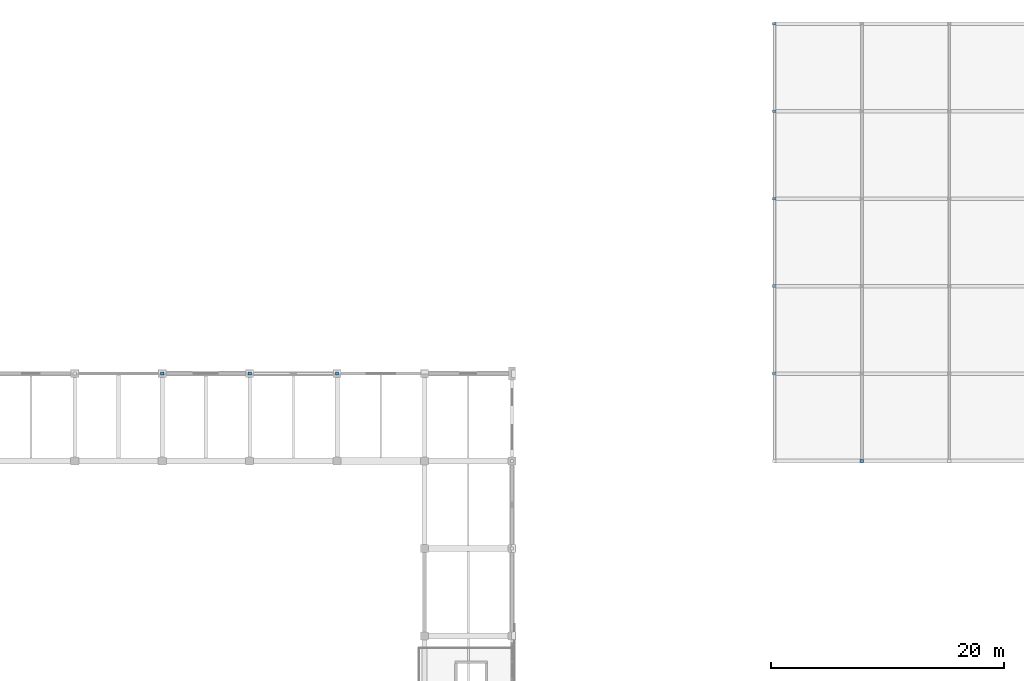
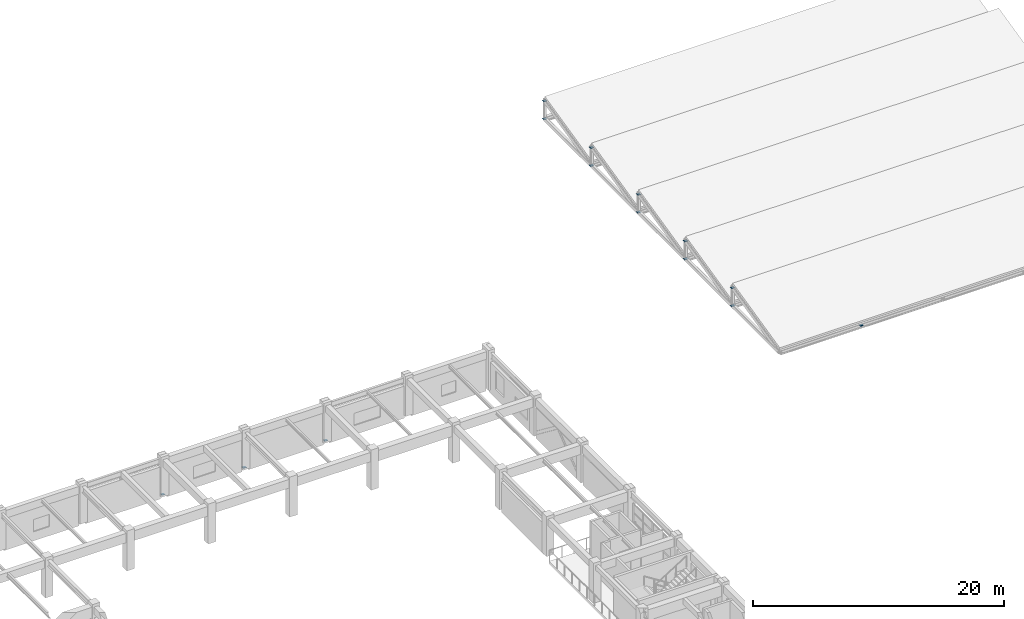
# One storey, part 71 of 82: 14 discrete accessories.
"""IFC4 building model written with IfcOpenShell, lengths in metres."""

from ifc_helpers import new_model, si_unit, direction, frame, origin, origin_2d, place, context, subcontext, project, spatial, rectangle, extrude, material, type_object, element, save


model = new_model("IFC4")

# Units and contexts
model_context = context("Model", 3, precision=1e-05, world=origin(), true_north=direction((0.0, 1.0)))
body_context = subcontext(model_context, "Body", "Model", "MODEL_VIEW")
ifc_project = project(units=[si_unit("LENGTHUNIT", "METRE"), si_unit("AREAUNIT", "SQUARE_METRE"), si_unit("VOLUMEUNIT", "CUBIC_METRE"), si_unit("PLANEANGLEUNIT", "RADIAN"), si_unit("MASSUNIT", "GRAM", prefix="KILO")], contexts=[model_context])

# Site, building, storey
site_placement = place(None, origin())
site = spatial("IfcSite", under=ifc_project, at=site_placement, CompositionType="ELEMENT")
building_placement = place(site_placement, origin())
building = spatial("IfcBuilding", under=site, at=building_placement, Name="Qasida Concert Hall", CompositionType="ELEMENT")
storey_placement = place(building_placement, frame((0.0, 0.0, 17.10009765625)))
storey = spatial("IfcBuildingStorey", under=building, at=storey_placement, Name="L04", CompositionType="ELEMENT", Elevation=17.10009765625)

# Discrete accessories
ifc_material = material(Name="Steel S355J2", Category="steel")
discrete_accessory_type = type_object("IfcDiscreteAccessoryType", Name="ACC-CONN-S355", PredefinedType="BRACKET", material=ifc_material)
for number, where, z_axis, x_axis, name in (
    (1, (127.5, 82.5, -0.011962890625), (0.0, 0.0, 1.0), (1.0, 0.0, 0.0), "Steel brace/strut end connection CN-0117"),
    (2, (127.5, 90.0, -0.011962890625), (0.0, 0.0, 1.0), (1.0, 0.0, 0.0), "Steel brace/strut end connection CN-0120"),
    (3, (127.5, 97.5, -0.011962890625), (0.0, 0.0, 1.0), (1.0, 0.0, 0.0), "Steel brace/strut end connection CN-0123"),
    (4, (127.5, 105.0, -0.011962890625), (0.0, 0.0, 1.0), (1.0, 0.0, 0.0), "Steel brace/strut end connection CN-0126"),
    (5, (127.5, 112.5, -0.011962890625), (0.0, 0.0, 1.0), (1.0, 0.0, 0.0), "Steel brace/strut end connection CN-0129"),
    (6, (127.5, 82.5, 1.738037109375), (0.0, 0.0, 1.0), (1.0, 0.0, 0.0), "Steel brace/strut end connection CN-0132"),
    (7, (135.0, 75.0, -0.011962890625), (0.0, 0.0, 1.0), (1.0, 0.0, 0.0), "Steel brace/strut end connection CN-0133"),
    (8, (127.5, 90.0, 1.738037109375), (0.0, 0.0, 1.0), (1.0, 0.0, 0.0), "Steel brace/strut end connection CN-0144"),
    (9, (127.5, 97.5, 1.738037109375), (0.0, 0.0, 1.0), (1.0, 0.0, 0.0), "Steel brace/strut end connection CN-0153"),
    (10, (127.5, 105.0, 1.738037109375), (0.0, 0.0, 1.0), (1.0, 0.0, 0.0), "Steel brace/strut end connection CN-0162"),
    (11, (127.5, 112.5, 1.738037109375), (0.0, 0.0, 1.0), (1.0, 0.0, 0.0), "Steel brace/strut end connection CN-0171"),
    (12, (75.0, 82.5, -0.011962890625), (0.0, 0.0, 1.0), (1.0, 0.0, 0.0), "Steel brace/strut end connection CN-0213"),
    (13, (82.5, 82.5, -0.011962890625), (0.0, 0.0, 1.0), (1.0, 0.0, 0.0), "Steel brace/strut end connection CN-0224"),
    (14, (90.0, 82.5, -0.011962890625), (0.0, 0.0, 1.0), (1.0, 0.0, 0.0), "Steel brace/strut end connection CN-0225"),
):
    element("IfcDiscreteAccessory", number, at=place(storey_placement, frame(where, z_axis=z_axis, x_axis=x_axis)), inside=storey, type_object=discrete_accessory_type, Name=name, PredefinedType="BRACKET", context=body_context, shape_type="SweptSolid", body=[
        extrude(rectangle(XDim=0.280029296875, YDim=0.239990234375, at=origin_2d()), origin(), (0.0, 0.0, 1.0), 0.02392578125),
    ])

save(model, "model.ifc")
